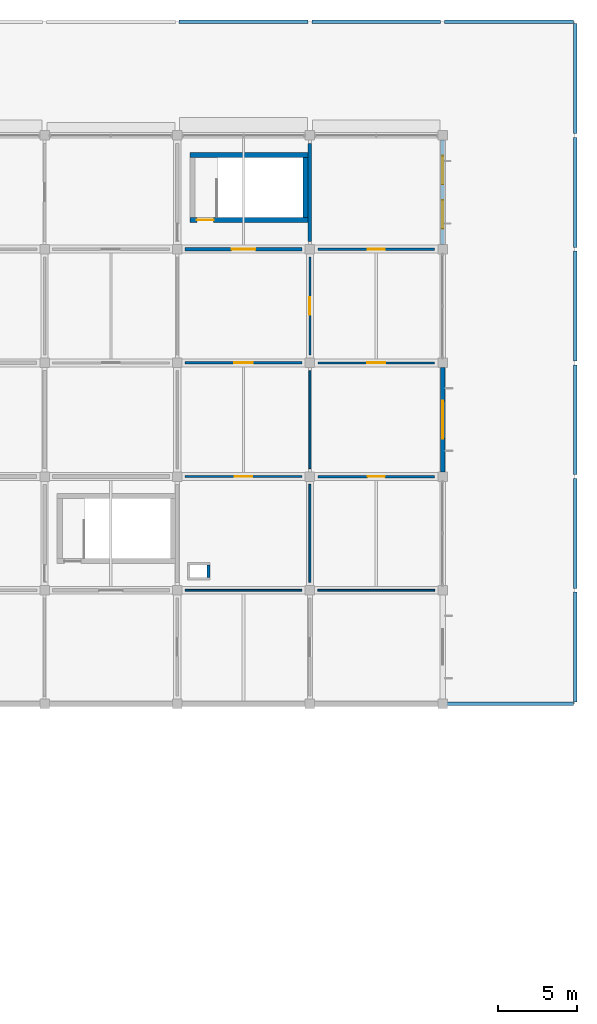
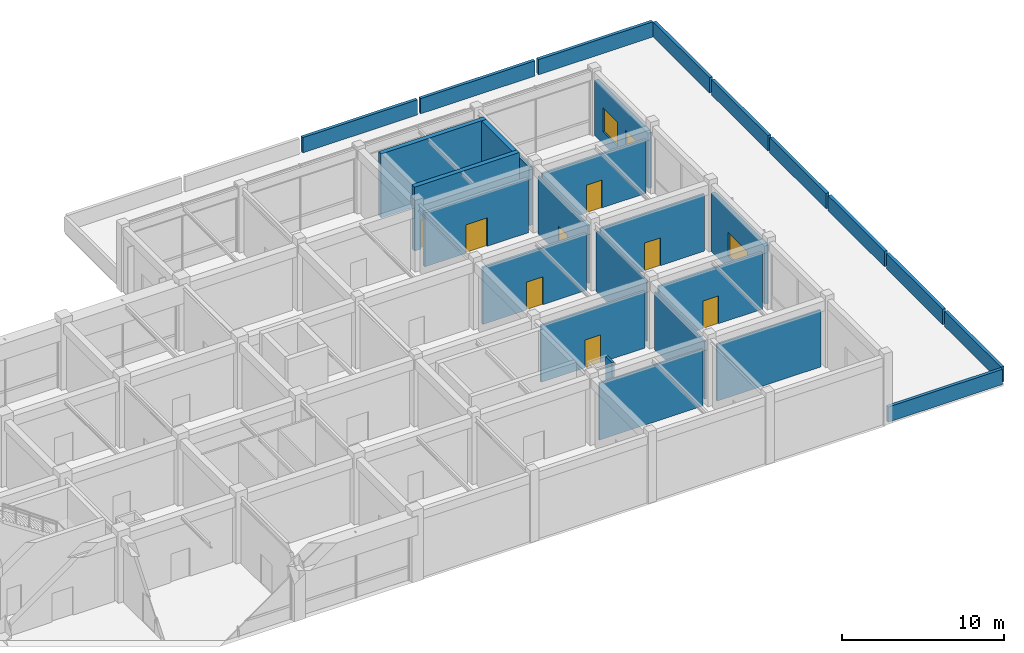
# One storey, part 31 of 38: 28 walls, 8 doors, 3 windows, 11 openings.
"""IFC4 building model written with IfcOpenShell, lengths in metres."""

from ifc_helpers import new_model, si_unit, derived_unit, direction, frame, frame_2d, origin, place, context, subcontext, project, spatial, rectangle, extrude, material, layer, layer_set, type_object, element, fill, save


model = new_model("IFC4")

# Units and contexts
model_context = context("Model", 3, precision=1e-05, world=origin(), true_north=direction((0.0, 1.0)))
body_context = subcontext(model_context, "Body", "Model", "MODEL_VIEW")
ifc_project = project(units=[si_unit("LENGTHUNIT", "METRE"), si_unit("AREAUNIT", "SQUARE_METRE"), si_unit("VOLUMEUNIT", "CUBIC_METRE"), si_unit("PLANEANGLEUNIT", "RADIAN"), si_unit("MASSUNIT", "GRAM", prefix="KILO"), derived_unit("THERMALTRANSMITTANCEUNIT", [(si_unit("MASSUNIT", "GRAM", prefix="KILO"), 1), (si_unit("TIMEUNIT", "SECOND"), -3), (si_unit("THERMODYNAMICTEMPERATUREUNIT", "KELVIN"), -1)])], contexts=[model_context])

# Site, building, storey
site_placement = place(None, origin())
site = spatial("IfcSite", under=ifc_project, at=site_placement, CompositionType="ELEMENT")
building_placement = place(site_placement, origin())
building = spatial("IfcBuilding", under=site, at=building_placement, Name="Veldstrom Oceanarium and Marine Research Institute", CompositionType="ELEMENT")
storey_placement = place(building_placement, frame((0.0, 0.0, 16.800048828125)))
storey = spatial("IfcBuildingStorey", under=building, at=storey_placement, Name="L03", CompositionType="ELEMENT", Elevation=16.800048828125)

# Wall, opening, window
ifc_material_1 = material(Name="Masonry Cavity Wall", Category="masonry")
ifc_layer_1 = layer(ifc_material_1, 0.2900390625)
ifc_layer_set_1 = layer_set([ifc_layer_1], Name="ARC-WAL-EW2")
wall_type_1 = type_object("IfcWallType", Name="ARC-WAL-EW2", PredefinedType="SOLIDWALL", material=ifc_layer_set_1)
wall_1_placement = place(storey_placement, frame((151.199951171875, 57.89990234375, 0.0), z_axis=(0.0, 0.0, 1.0), x_axis=(0.0, 1.0, 0.0)))
wall_1 = element("IfcWall", 1, at=wall_1_placement, inside=storey, type_object=wall_type_1, Name="Exterior Facade Wall EW2 L03-166", PredefinedType="SOLIDWALL", context=body_context, shape_type="SweptSolid", body=[
    extrude(rectangle(XDim=6.60009765625, YDim=0.2900390625, at=frame_2d((3.300048828125, 0.0))), origin(), (0.0, 0.0, 1.0), 4.39501953125),
])
opening_1_placement = place(wall_1_placement, frame((2.10009765625, 0.0, 0.89990234375)))
opening_1 = element("IfcOpeningElement", 2, at=opening_1_placement, cuts=wall_1, Name="Opening W01", PredefinedType="OPENING", context=body_context, shape_type="SweptSolid", body=[
    extrude(rectangle(XDim=2.39990234375, YDim=1.800048828125, at=frame_2d((1.199951171875, 0.89990234375))), frame((0.0, 0.155029296875, 0.0), z_axis=(0.0, -1.0, 0.0), x_axis=(1.0, 0.0, 0.0)), (0.0, 0.0, 1.0), 0.31005859375),
])
ifc_material_2 = material(Name="Double Glazed Low-E IGU", Category="glass")
window_type_1 = type_object("IfcWindowType", Name="ARC-WIN-W01", PartitioningType="SINGLE_PANEL", PredefinedType="WINDOW", material=ifc_material_2)
window_1_placement = place(opening_1_placement, origin())
window_1 = element("IfcWindow", 3, at=window_1_placement, inside=storey, type_object=window_type_1, Name="Facade Window W01 L03-0120", OverallHeight=1.800048828125, OverallWidth=2.39990234375, PartitioningType="SINGLE_PANEL", PredefinedType="WINDOW", context=body_context, shape_type="SweptSolid", body=[
    extrude(rectangle(XDim=2.39990234375, YDim=1.800048828125, at=frame_2d((1.199951171875, 0.89990234375))), frame((0.0, 0.030029296875, 0.0), z_axis=(0.0, -1.0, 0.0), x_axis=(1.0, 0.0, 0.0)), (0.0, 0.0, 1.0), 0.06005859375),
])
fill(opening_1, window_1)

# Wall, openings, windows
ifc_material_3 = material(Name="Masonry Cavity Wall", Category="masonry")
ifc_layer_2 = layer(ifc_material_3, 0.27001953125)
ifc_layer_set_2 = layer_set([ifc_layer_2], Name="ARC-WAL-EW3")
wall_type_2 = type_object("IfcWallType", Name="ARC-WAL-EW3", PredefinedType="SOLIDWALL", material=ifc_layer_set_2)
wall_2_placement = place(storey_placement, frame((151.199951171875, 72.300048828125, 0.0), z_axis=(0.0, 0.0, 1.0), x_axis=(0.0, 1.0, 0.0)))
wall_2 = element("IfcWall", 4, at=wall_2_placement, inside=storey, type_object=wall_type_2, Name="Exterior Facade Wall EW3 L03-167", PredefinedType="SOLIDWALL", context=body_context, shape_type="SweptSolid", body=[
    extrude(rectangle(XDim=6.599853515625, YDim=0.27001953125, at=frame_2d((3.2998046875, 0.0))), origin(), (0.0, 0.0, 1.0), 4.169921875),
])
opening_2_placement = place(wall_2_placement, frame((1.0, 0.0, 0.89990234375)))
opening_2 = element("IfcOpeningElement", 5, at=opening_2_placement, cuts=wall_2, Name="Opening W03", PredefinedType="OPENING", context=body_context, shape_type="SweptSolid", body=[
    extrude(rectangle(XDim=1.800048828125, YDim=1.800048828125, at=frame_2d((0.89990234375, 0.89990234375))), frame((0.0, 0.14501953125, 0.0), z_axis=(0.0, -1.0, 0.0), x_axis=(1.0, 0.0, 0.0)), (0.0, 0.0, 1.0), 0.2900390625),
])
opening_3_placement = place(wall_2_placement, frame((3.800048828125, 0.0, 0.89990234375)))
opening_3 = element("IfcOpeningElement", 6, at=opening_3_placement, cuts=wall_2, Name="Opening W03", PredefinedType="OPENING", context=body_context, shape_type="SweptSolid", body=[
    extrude(rectangle(XDim=1.800048828125, YDim=1.800048828125, at=frame_2d((0.89990234375, 0.89990234375))), frame((0.0, 0.14501953125, 0.0), z_axis=(0.0, -1.0, 0.0), x_axis=(1.0, 0.0, 0.0)), (0.0, 0.0, 1.0), 0.2900390625),
])
ifc_material_4 = material(Name="Double Glazed Low-E IGU", Category="glass")
window_type_2 = type_object("IfcWindowType", Name="ARC-WIN-W03", PartitioningType="SINGLE_PANEL", PredefinedType="WINDOW", material=ifc_material_4)
window_2_placement = place(opening_2_placement, origin())
window_2 = element("IfcWindow", 7, at=window_2_placement, inside=storey, type_object=window_type_2, Name="Facade Window W03 L03-0121", OverallHeight=1.800048828125, OverallWidth=1.800048828125, PartitioningType="SINGLE_PANEL", PredefinedType="WINDOW", context=body_context, shape_type="SweptSolid", body=[
    extrude(rectangle(XDim=1.800048828125, YDim=1.800048828125, at=frame_2d((0.89990234375, 0.89990234375))), frame((0.0, 0.030029296875, 0.0), z_axis=(0.0, -1.0, 0.0), x_axis=(1.0, 0.0, 0.0)), (0.0, 0.0, 1.0), 0.06005859375),
])
fill(opening_2, window_2)
window_3_placement = place(opening_3_placement, origin())
window_3 = element("IfcWindow", 8, at=window_3_placement, inside=storey, type_object=window_type_2, Name="Facade Window W03 L03-0122", OverallHeight=1.800048828125, OverallWidth=1.800048828125, PartitioningType="SINGLE_PANEL", PredefinedType="WINDOW", context=body_context, shape_type="SweptSolid", body=[
    extrude(rectangle(XDim=1.800048828125, YDim=1.800048828125, at=frame_2d((0.89990234375, 0.89990234375))), frame((0.0, 0.030029296875, 0.0), z_axis=(0.0, -1.0, 0.0), x_axis=(1.0, 0.0, 0.0)), (0.0, 0.0, 1.0), 0.06005859375),
])
fill(opening_3, window_3)

# Walls
ifc_material_5 = material(Name="Masonry Cavity Wall", Category="masonry")
ifc_layer_3 = layer(ifc_material_5, 0.219970703125)
ifc_layer_set_3 = layer_set([ifc_layer_3], Name="ARC-WAL-PR1")
wall_type_3 = type_object("IfcWallType", Name="ARC-WAL-PR1", PredefinedType="PARAPET", material=ifc_layer_set_3)
wall_3_placement = place(storey_placement, frame((134.52001953125, 86.39990234375, 0.0), z_axis=(0.0, 0.0, 1.0), x_axis=(1.0, 0.0, 0.0)))
element("IfcWall", 9, at=wall_3_placement, inside=storey, type_object=wall_type_3, Name="Roof Parapet Wall L02-059", PredefinedType="PARAPET", context=body_context, shape_type="SweptSolid", body=[
    extrude(rectangle(XDim=8.159912109375, YDim=0.219970703125, at=frame_2d((4.080078125, 0.0))), origin(), (0.0, 0.0, 1.0), 1.14990234375),
])
wall_4_placement = place(storey_placement, frame((142.919921875, 86.39990234375, 0.0), z_axis=(0.0, 0.0, 1.0), x_axis=(1.0, 0.0, 0.0)))
element("IfcWall", 10, at=wall_4_placement, inside=storey, type_object=wall_type_3, Name="Roof Parapet Wall L02-060", PredefinedType="PARAPET", context=body_context, shape_type="SweptSolid", body=[
    extrude(rectangle(XDim=8.16015625, YDim=0.219970703125, at=frame_2d((4.080078125, 0.0))), origin(), (0.0, 0.0, 1.0), 1.14990234375),
])
wall_5_placement = place(storey_placement, frame((151.320068359375, 43.199951171875, 0.0), z_axis=(0.0, 0.0, 1.0), x_axis=(1.0, 0.0, 0.0)))
element("IfcWall", 11, at=wall_5_placement, inside=storey, type_object=wall_type_3, Name="Roof Parapet Wall L02-061", PredefinedType="PARAPET", context=body_context, shape_type="SweptSolid", body=[
    extrude(rectangle(XDim=8.159912109375, YDim=0.219970703125, at=frame_2d((4.080078125, 0.0))), origin(), (0.0, 0.0, 1.0), 1.14990234375),
])
for number, where, z_axis, x_axis, name in (
    (12, (159.60009765625, 43.320068359375, 0.0), (0.0, 0.0, 1.0), (0.0, 1.0, 0.0), "Roof Parapet Wall L02-062"),
    (13, (159.60009765625, 50.52001953125, 0.0), (0.0, 0.0, 1.0), (0.0, 1.0, 0.0), "Roof Parapet Wall L02-063"),
    (14, (159.60009765625, 57.719970703125, 0.0), (0.0, 0.0, 1.0), (0.0, 1.0, 0.0), "Roof Parapet Wall L02-064"),
    (15, (159.60009765625, 64.919921875, 0.0), (0.0, 0.0, 1.0), (0.0, 1.0, 0.0), "Roof Parapet Wall L02-065"),
    (16, (159.60009765625, 72.1201171875, 0.0), (0.0, 0.0, 1.0), (0.0, 1.0, 0.0), "Roof Parapet Wall L02-066"),
):
    element("IfcWall", number, at=place(storey_placement, frame(where, z_axis=z_axis, x_axis=x_axis)), inside=storey, type_object=wall_type_3, Name=name, PredefinedType="PARAPET", context=body_context, shape_type="SweptSolid", body=[
        extrude(rectangle(XDim=6.9599609375, YDim=0.219970703125, at=frame_2d((3.47998046875, 0.0))), origin(), (0.0, 0.0, 1.0), 1.14990234375),
    ])
wall_6_placement = place(storey_placement, frame((151.320068359375, 86.39990234375, 0.0), z_axis=(0.0, 0.0, 1.0), x_axis=(1.0, 0.0, 0.0)))
element("IfcWall", 17, at=wall_6_placement, inside=storey, type_object=wall_type_3, Name="Roof Parapet Wall L02-067", PredefinedType="PARAPET", context=body_context, shape_type="SweptSolid", body=[
    extrude(rectangle(XDim=8.159912109375, YDim=0.219970703125, at=frame_2d((4.080078125, 0.0))), origin(), (0.0, 0.0, 1.0), 1.14990234375),
])
wall_7_placement = place(storey_placement, frame((159.60009765625, 79.320068359375, 0.0), z_axis=(0.0, 0.0, 1.0), x_axis=(0.0, 1.0, 0.0)))
element("IfcWall", 18, at=wall_7_placement, inside=storey, type_object=wall_type_3, Name="Roof Parapet Wall L02-068", PredefinedType="PARAPET", context=body_context, shape_type="SweptSolid", body=[
    extrude(rectangle(XDim=6.9599609375, YDim=0.219970703125, at=frame_2d((3.47998046875, 0.0))), origin(), (0.0, 0.0, 1.0), 1.14990234375),
])

# Wall, opening, door
ifc_material_6 = material(Name="Masonry Fire Compartment Wall", Category="masonry")
ifc_layer_4 = layer(ifc_material_6, 0.22998046875)
ifc_layer_set_4 = layer_set([ifc_layer_4], Name="ARC-WAL-PT1")
wall_type_4 = type_object("IfcWallType", Name="ARC-WAL-PT1", PredefinedType="PARTITIONING", material=ifc_layer_set_4)
wall_8_placement = place(storey_placement, frame((134.89990234375, 72.0, 0.0), z_axis=(0.0, 0.0, 1.0), x_axis=(1.0, 0.0, 0.0)))
wall_8 = element("IfcWall", 19, at=wall_8_placement, inside=storey, type_object=wall_type_4, Name="Interior Partition PT1 L03-1391", PredefinedType="PARTITIONING", context=body_context, shape_type="SweptSolid", body=[
    extrude(rectangle(XDim=7.400146484375, YDim=0.22998046875, at=frame_2d((3.7001953125, 0.0))), origin(), (0.0, 0.0, 1.0), 4.070068359375),
])
opening_4_placement = place(wall_8_placement, frame((2.949951171875, 0.0, 0.0)))
opening_4 = element("IfcOpeningElement", 20, at=opening_4_placement, cuts=wall_8, Name="Opening D-L03-819", PredefinedType="OPENING", context=body_context, shape_type="SweptSolid", body=[
    extrude(rectangle(XDim=1.5, YDim=2.14990234375, at=frame_2d((0.75, 1.074951171875))), frame((0.0, 0.125, 0.0), z_axis=(0.0, -1.0, 0.0), x_axis=(1.0, 0.0, 0.0)), (0.0, 0.0, 1.0), 0.25),
])
ifc_material_7 = material(Name="Painted Steel Lobby Fire Door", Category="steel")
door_type_1 = type_object("IfcDoorType", Name="ARC-DOR-SD2", OperationType="DOUBLE_DOOR_SINGLE_SWING", PredefinedType="DOOR", material=ifc_material_7)
door_1_placement = place(opening_4_placement, frame((1.5, 0.0, 0.0), z_axis=(0.0, 0.0, 1.0), x_axis=(-1.0, 0.0, 0.0)))
door_1 = element("IfcDoor", 21, at=door_1_placement, inside=storey, type_object=door_type_1, Name="Interior Door D-L03-819", OperationType="DOUBLE_DOOR_SINGLE_SWING", OverallHeight=2.14990234375, OverallWidth=1.5, PredefinedType="DOOR", context=body_context, shape_type="SweptSolid", body=[
    extrude(rectangle(XDim=1.5, YDim=2.14990234375, at=frame_2d((0.75, 1.074951171875))), frame((0.0, 0.02490234375, 0.0), z_axis=(0.0, -1.0, 0.0), x_axis=(1.0, 0.0, 0.0)), (0.0, 0.0, 1.0), 0.050048828125),
])
fill(opening_4, door_1)

# Wall
wall_9_placement = place(storey_placement, frame((142.800048828125, 72.5, 0.0), z_axis=(0.0, 0.0, 1.0), x_axis=(0.0, 1.0, 0.0)))
element("IfcWall", 22, at=wall_9_placement, inside=storey, type_object=wall_type_4, Name="Interior Partition PT1 L03-1392", PredefinedType="PARTITIONING", context=body_context, shape_type="SweptSolid", body=[
    extrude(rectangle(XDim=6.199951171875, YDim=0.22998046875, at=frame_2d((3.10009765625, 0.0))), origin(), (0.0, 0.0, 1.0), 4.419921875),
])

# Wall, opening, door
ifc_material_8 = material(Name="Drywall Corridor Partition", Category="gypsum")
ifc_layer_5 = layer(ifc_material_8, 0.155029296875)
ifc_layer_set_5 = layer_set([ifc_layer_5], Name="ARC-WAL-PT4")
wall_type_5 = type_object("IfcWallType", Name="ARC-WAL-PT4", PredefinedType="PARTITIONING", material=ifc_layer_set_5)
wall_10_placement = place(storey_placement, frame((134.89990234375, 64.800048828125, 0.0), z_axis=(0.0, 0.0, 1.0), x_axis=(1.0, 0.0, 0.0)))
wall_10 = element("IfcWall", 23, at=wall_10_placement, inside=storey, type_object=wall_type_5, Name="Interior Partition PT4 L03-1389", PredefinedType="PARTITIONING", context=body_context, shape_type="SweptSolid", body=[
    extrude(rectangle(XDim=7.400146484375, YDim=0.155029296875, at=frame_2d((3.7001953125, 0.0))), origin(), (0.0, 0.0, 1.0), 4.294921875),
])
opening_5_placement = place(wall_10_placement, frame((3.125, 0.0, 0.0)))
opening_5 = element("IfcOpeningElement", 24, at=opening_5_placement, cuts=wall_10, Name="Opening D-L03-817", PredefinedType="OPENING", context=body_context, shape_type="SweptSolid", body=[
    extrude(rectangle(XDim=1.14990234375, YDim=2.10009765625, at=frame_2d((0.574951171875, 1.050048828125))), frame((0.0, 0.08740234375, 0.0), z_axis=(0.0, -1.0, 0.0), x_axis=(1.0, 0.0, 0.0)), (0.0, 0.0, 1.0), 0.175048828125),
])
ifc_material_9 = material(Name="Fellows Studio Door", Category="timber")
door_type_2 = type_object("IfcDoorType", Name="ARC-DOR-ID17", OperationType="SINGLE_SWING_LEFT", PredefinedType="DOOR", material=ifc_material_9)
door_2_placement = place(opening_5_placement, frame((1.14990234375, 0.0, 0.0), z_axis=(0.0, 0.0, 1.0), x_axis=(-1.0, 0.0, 0.0)))
door_2 = element("IfcDoor", 25, at=door_2_placement, inside=storey, type_object=door_type_2, Name="Interior Door D-L03-817", OperationType="SINGLE_SWING_LEFT", OverallHeight=2.10009765625, OverallWidth=1.14990234375, PredefinedType="DOOR", context=body_context, shape_type="SweptSolid", body=[
    extrude(rectangle(XDim=1.14990234375, YDim=2.10009765625, at=frame_2d((0.574951171875, 1.050048828125))), frame((0.0, 0.02490234375, 0.0), z_axis=(0.0, -1.0, 0.0), x_axis=(1.0, 0.0, 0.0)), (0.0, 0.0, 1.0), 0.050048828125),
])
fill(opening_5, door_2)

wall_11_placement = place(storey_placement, frame((143.300048828125, 57.60009765625, 0.0), z_axis=(0.0, 0.0, 1.0), x_axis=(1.0, 0.0, 0.0)))
wall_11 = element("IfcWall", 26, at=wall_11_placement, inside=storey, type_object=wall_type_5, Name="Interior Partition PT4 L03-1394", PredefinedType="PARTITIONING", context=body_context, shape_type="SweptSolid", body=[
    extrude(rectangle(XDim=7.39990234375, YDim=0.155029296875, at=frame_2d((3.699951171875, 0.0))), origin(), (0.0, 0.0, 1.0), 4.294921875),
])
opening_6_placement = place(wall_11_placement, frame((3.14990234375, 0.0, 0.0)))
opening_6 = element("IfcOpeningElement", 27, at=opening_6_placement, cuts=wall_11, Name="Opening D-L03-820", PredefinedType="OPENING", context=body_context, shape_type="SweptSolid", body=[
    extrude(rectangle(XDim=1.10009765625, YDim=2.10009765625, at=frame_2d((0.550048828125, 1.050048828125))), frame((0.0, 0.08740234375, 0.0), z_axis=(0.0, -1.0, 0.0), x_axis=(1.0, 0.0, 0.0)), (0.0, 0.0, 1.0), 0.175048828125),
])
ifc_material_10 = material(Name="Research Office Door", Category="timber")
door_type_3 = type_object("IfcDoorType", Name="ARC-DOR-ID07", OperationType="SINGLE_SWING_LEFT", PredefinedType="DOOR", material=ifc_material_10)
door_3_placement = place(opening_6_placement, frame((1.10009765625, 0.0, 0.0), z_axis=(0.0, 0.0, 1.0), x_axis=(-1.0, 0.0, 0.0)))
door_3 = element("IfcDoor", 28, at=door_3_placement, inside=storey, type_object=door_type_3, Name="Interior Door D-L03-820", OperationType="SINGLE_SWING_LEFT", OverallHeight=2.10009765625, OverallWidth=1.10009765625, PredefinedType="DOOR", context=body_context, shape_type="SweptSolid", body=[
    extrude(rectangle(XDim=1.10009765625, YDim=2.10009765625, at=frame_2d((0.550048828125, 1.050048828125))), frame((0.0, 0.02490234375, 0.0), z_axis=(0.0, -1.0, 0.0), x_axis=(1.0, 0.0, 0.0)), (0.0, 0.0, 1.0), 0.050048828125),
])
fill(opening_6, door_3)

wall_12_placement = place(storey_placement, frame((143.300048828125, 72.0, 0.0), z_axis=(0.0, 0.0, 1.0), x_axis=(1.0, 0.0, 0.0)))
wall_12 = element("IfcWall", 29, at=wall_12_placement, inside=storey, type_object=wall_type_5, Name="Interior Partition PT4 L03-1396", PredefinedType="PARTITIONING", context=body_context, shape_type="SweptSolid", body=[
    extrude(rectangle(XDim=7.39990234375, YDim=0.155029296875, at=frame_2d((3.699951171875, 0.0))), origin(), (0.0, 0.0, 1.0), 4.070068359375),
])
opening_7_placement = place(wall_12_placement, frame((3.14990234375, 0.0, 0.0)))
opening_7 = element("IfcOpeningElement", 30, at=opening_7_placement, cuts=wall_12, Name="Opening D-L03-822", PredefinedType="OPENING", context=body_context, shape_type="SweptSolid", body=[
    extrude(rectangle(XDim=1.10009765625, YDim=2.10009765625, at=frame_2d((0.550048828125, 1.050048828125))), frame((0.0, 0.08740234375, 0.0), z_axis=(0.0, -1.0, 0.0), x_axis=(1.0, 0.0, 0.0)), (0.0, 0.0, 1.0), 0.175048828125),
])
door_4_placement = place(opening_7_placement, frame((1.10009765625, 0.0, 0.0), z_axis=(0.0, 0.0, 1.0), x_axis=(-1.0, 0.0, 0.0)))
door_4 = element("IfcDoor", 31, at=door_4_placement, inside=storey, type_object=door_type_3, Name="Interior Door D-L03-822", OperationType="SINGLE_SWING_LEFT", OverallHeight=2.10009765625, OverallWidth=1.10009765625, PredefinedType="DOOR", context=body_context, shape_type="SweptSolid", body=[
    extrude(rectangle(XDim=1.10009765625, YDim=2.10009765625, at=frame_2d((0.550048828125, 1.050048828125))), frame((0.0, 0.02490234375, 0.0), z_axis=(0.0, -1.0, 0.0), x_axis=(1.0, 0.0, 0.0)), (0.0, 0.0, 1.0), 0.050048828125),
])
fill(opening_7, door_4)

ifc_material_11 = material(Name="Moisture-Resistant Wet-Area Partition", Category="masonry")
ifc_layer_6 = layer(ifc_material_11, 0.139892578125)
ifc_layer_set_6 = layer_set([ifc_layer_6], Name="ARC-WAL-PT5")
wall_type_6 = type_object("IfcWallType", Name="ARC-WAL-PT5", PredefinedType="PARTITIONING", material=ifc_layer_set_6)
wall_13_placement = place(storey_placement, frame((134.89990234375, 57.60009765625, 0.0), z_axis=(0.0, 0.0, 1.0), x_axis=(1.0, 0.0, 0.0)))
wall_13 = element("IfcWall", 32, at=wall_13_placement, inside=storey, type_object=wall_type_6, Name="Interior Partition PT5 L03-1387", PredefinedType="PARTITIONING", context=body_context, shape_type="SweptSolid", body=[
    extrude(rectangle(XDim=7.400146484375, YDim=0.139892578125, at=frame_2d((3.7001953125, 0.0))), origin(), (0.0, 0.0, 1.0), 4.294921875),
])
opening_8_placement = place(wall_13_placement, frame((3.14990234375, 0.0, 0.0)))
opening_8 = element("IfcOpeningElement", 33, at=opening_8_placement, cuts=wall_13, Name="Opening D-L03-816", PredefinedType="OPENING", context=body_context, shape_type="SweptSolid", body=[
    extrude(rectangle(XDim=1.10009765625, YDim=2.10009765625, at=frame_2d((0.550048828125, 1.050048828125))), frame((0.0, 0.079833984375, 0.0), z_axis=(0.0, -1.0, 0.0), x_axis=(1.0, 0.0, 0.0)), (0.0, 0.0, 1.0), 0.159912109375),
])
door_5_placement = place(opening_8_placement, origin())
door_5 = element("IfcDoor", 34, at=door_5_placement, inside=storey, type_object=door_type_3, Name="Interior Door D-L03-816", OperationType="SINGLE_SWING_LEFT", OverallHeight=2.10009765625, OverallWidth=1.10009765625, PredefinedType="DOOR", context=body_context, shape_type="SweptSolid", body=[
    extrude(rectangle(XDim=1.10009765625, YDim=2.10009765625, at=frame_2d((0.550048828125, 1.050048828125))), frame((0.0, 0.02490234375, 0.0), z_axis=(0.0, -1.0, 0.0), x_axis=(1.0, 0.0, 0.0)), (0.0, 0.0, 1.0), 0.050048828125),
])
fill(opening_8, door_5)

wall_14_placement = place(storey_placement, frame((142.800048828125, 65.300048828125, 0.0), z_axis=(0.0, 0.0, 1.0), x_axis=(0.0, 1.0, 0.0)))
wall_14 = element("IfcWall", 35, at=wall_14_placement, inside=storey, type_object=wall_type_6, Name="Interior Partition PT5 L03-1390", PredefinedType="PARTITIONING", context=body_context, shape_type="SweptSolid", body=[
    extrude(rectangle(XDim=6.199951171875, YDim=0.139892578125, at=frame_2d((3.10009765625, 0.0))), origin(), (0.0, 0.0, 1.0), 4.344970703125),
])
opening_9_placement = place(wall_14_placement, frame((2.550048828125, 0.0, 0.0)))
opening_9 = element("IfcOpeningElement", 36, at=opening_9_placement, cuts=wall_14, Name="Opening D-L03-818", PredefinedType="OPENING", context=body_context, shape_type="SweptSolid", body=[
    extrude(rectangle(XDim=1.10009765625, YDim=2.10009765625, at=frame_2d((0.550048828125, 1.050048828125))), frame((0.0, 0.079833984375, 0.0), z_axis=(0.0, -1.0, 0.0), x_axis=(1.0, 0.0, 0.0)), (0.0, 0.0, 1.0), 0.159912109375),
])
door_6_placement = place(opening_9_placement, frame((1.10009765625, 0.0, 0.0), z_axis=(0.0, 0.0, 1.0), x_axis=(-1.0, 0.0, 0.0)))
door_6 = element("IfcDoor", 37, at=door_6_placement, inside=storey, type_object=door_type_3, Name="Interior Door D-L03-818", OperationType="SINGLE_SWING_RIGHT", OverallHeight=2.10009765625, OverallWidth=1.10009765625, PredefinedType="DOOR", context=body_context, shape_type="SweptSolid", body=[
    extrude(rectangle(XDim=1.10009765625, YDim=2.10009765625, at=frame_2d((0.550048828125, 1.050048828125))), frame((0.0, 0.02490234375, 0.0), z_axis=(0.0, -1.0, 0.0), x_axis=(1.0, 0.0, 0.0)), (0.0, 0.0, 1.0), 0.050048828125),
])
fill(opening_9, door_6)

wall_15_placement = place(storey_placement, frame((143.300048828125, 64.800048828125, 0.0), z_axis=(0.0, 0.0, 1.0), x_axis=(1.0, 0.0, 0.0)))
wall_15 = element("IfcWall", 38, at=wall_15_placement, inside=storey, type_object=wall_type_6, Name="Interior Partition PT5 L03-1395", PredefinedType="PARTITIONING", context=body_context, shape_type="SweptSolid", body=[
    extrude(rectangle(XDim=7.39990234375, YDim=0.139892578125, at=frame_2d((3.699951171875, 0.0))), origin(), (0.0, 0.0, 1.0), 4.294921875),
])
opening_10_placement = place(wall_15_placement, frame((3.125, 0.0, 0.0)))
opening_10 = element("IfcOpeningElement", 39, at=opening_10_placement, cuts=wall_15, Name="Opening D-L03-821", PredefinedType="OPENING", context=body_context, shape_type="SweptSolid", body=[
    extrude(rectangle(XDim=1.14990234375, YDim=2.10009765625, at=frame_2d((0.574951171875, 1.050048828125))), frame((0.0, 0.079833984375, 0.0), z_axis=(0.0, -1.0, 0.0), x_axis=(1.0, 0.0, 0.0)), (0.0, 0.0, 1.0), 0.159912109375),
])
door_7_placement = place(opening_10_placement, origin())
door_7 = element("IfcDoor", 40, at=door_7_placement, inside=storey, type_object=door_type_2, Name="Interior Door D-L03-821", OperationType="SINGLE_SWING_LEFT", OverallHeight=2.10009765625, OverallWidth=1.14990234375, PredefinedType="DOOR", context=body_context, shape_type="SweptSolid", body=[
    extrude(rectangle(XDim=1.14990234375, YDim=2.10009765625, at=frame_2d((0.574951171875, 1.050048828125))), frame((0.0, 0.02490234375, 0.0), z_axis=(0.0, -1.0, 0.0), x_axis=(1.0, 0.0, 0.0)), (0.0, 0.0, 1.0), 0.050048828125),
])
fill(opening_10, door_7)

# Walls
ifc_material_12 = material(Name="Lightweight Studio Partition", Category="gypsum")
ifc_layer_7 = layer(ifc_material_12, 0.1201171875)
ifc_layer_set_7 = layer_set([ifc_layer_7], Name="ARC-WAL-PT6")
wall_type_7 = type_object("IfcWallType", Name="ARC-WAL-PT6", PredefinedType="PARTITIONING", material=ifc_layer_set_7)
wall_16_placement = place(storey_placement, frame((134.89990234375, 50.39990234375, 0.0), z_axis=(0.0, 0.0, 1.0), x_axis=(1.0, 0.0, 0.0)))
element("IfcWall", 41, at=wall_16_placement, inside=storey, type_object=wall_type_7, Name="Interior Partition PT6 L03-1385", PredefinedType="PARTITIONING", context=body_context, shape_type="SweptSolid", body=[
    extrude(rectangle(XDim=7.400146484375, YDim=0.1201171875, at=frame_2d((3.7001953125, 0.0))), origin(), (0.0, 0.0, 1.0), 4.294921875),
])
wall_17_placement = place(storey_placement, frame((142.800048828125, 50.89990234375, 0.0), z_axis=(0.0, 0.0, 1.0), x_axis=(0.0, 1.0, 0.0)))
element("IfcWall", 42, at=wall_17_placement, inside=storey, type_object=wall_type_7, Name="Interior Partition PT6 L03-1386", PredefinedType="PARTITIONING", context=body_context, shape_type="SweptSolid", body=[
    extrude(rectangle(XDim=6.2001953125, YDim=0.1201171875, at=frame_2d((3.10009765625, 0.0))), origin(), (0.0, 0.0, 1.0), 4.344970703125),
])
wall_18_placement = place(storey_placement, frame((142.800048828125, 58.10009765625, 0.0), z_axis=(0.0, 0.0, 1.0), x_axis=(0.0, 1.0, 0.0)))
element("IfcWall", 43, at=wall_18_placement, inside=storey, type_object=wall_type_7, Name="Interior Partition PT6 L03-1388", PredefinedType="PARTITIONING", context=body_context, shape_type="SweptSolid", body=[
    extrude(rectangle(XDim=6.199951171875, YDim=0.1201171875, at=frame_2d((3.10009765625, 0.0))), origin(), (0.0, 0.0, 1.0), 4.544921875),
])
wall_19_placement = place(storey_placement, frame((143.300048828125, 50.39990234375, 0.0), z_axis=(0.0, 0.0, 1.0), x_axis=(1.0, 0.0, 0.0)))
element("IfcWall", 44, at=wall_19_placement, inside=storey, type_object=wall_type_7, Name="Interior Partition PT6 L03-1393", PredefinedType="PARTITIONING", context=body_context, shape_type="SweptSolid", body=[
    extrude(rectangle(XDim=7.39990234375, YDim=0.1201171875, at=frame_2d((3.699951171875, 0.0))), origin(), (0.0, 0.0, 1.0), 4.294921875),
])
ifc_material_13 = material(Name="Service Riser Fire Shaft Wall", Category="masonry")
ifc_layer_8 = layer(ifc_material_13, 0.1650390625)
ifc_layer_set_8 = layer_set([ifc_layer_8], Name="ARC-WAL-PT9")
wall_type_8 = type_object("IfcWallType", Name="ARC-WAL-PT9", PredefinedType="PARTITIONING", material=ifc_layer_set_8)
wall_20_placement = place(storey_placement, frame((136.382568359375, 51.199951171875, 0.0), z_axis=(0.0, 0.0, 1.0), x_axis=(0.0, 1.0, 0.0)))
element("IfcWall", 45, at=wall_20_placement, inside=storey, type_object=wall_type_8, Name="Service Riser Fire Shaft Wall L03-ES-E", PredefinedType="PARTITIONING", context=body_context, shape_type="SweptSolid", body=[
    extrude(rectangle(XDim=0.800048828125, YDim=0.1650390625, at=frame_2d((0.39990234375, 0.0))), origin(), (0.0, 0.0, 1.0), 4.824951171875),
])

# Wall, opening, door
ifc_material_14 = material(Name="Concrete C40/50", Category="concrete")
ifc_layer_9 = layer(ifc_material_14, 0.320068359375)
ifc_layer_set_9 = layer_set([ifc_layer_9], Name="STR-WAL-WC3")
wall_type_9 = type_object("IfcWallType", Name="STR-WAL-WC3", PredefinedType="SHEAR", material=ifc_layer_set_9)
wall_21_placement = place(storey_placement, frame((135.199951171875, 73.840087890625, 0.0), z_axis=(0.0, 0.0, 1.0), x_axis=(1.0, 0.0, 0.0)))
wall_21 = element("IfcWall", 46, at=wall_21_placement, inside=storey, type_object=wall_type_9, Name="Stair Core Shear Wall SC6-L03-S", PredefinedType="SHEAR", context=body_context, shape_type="SweptSolid", body=[
    extrude(rectangle(XDim=7.47998046875, YDim=0.320068359375, at=frame_2d((3.739990234375, 0.0))), origin(), (0.0, 0.0, 1.0), 4.824951171875),
])
opening_11_placement = place(wall_21_placement, frame((0.449951171875, 0.0, 0.0)))
opening_11 = element("IfcOpeningElement", 47, at=opening_11_placement, cuts=wall_21, Name="Opening D-ST6-L03", PredefinedType="OPENING", context=body_context, shape_type="SweptSolid", body=[
    extrude(rectangle(XDim=1.050048828125, YDim=2.14990234375, at=frame_2d((0.52490234375, 1.074951171875))), frame((0.0, 0.169921875, 0.0), z_axis=(0.0, -1.0, 0.0), x_axis=(1.0, 0.0, 0.0)), (0.0, 0.0, 1.0), 0.340087890625),
])
ifc_material_15 = material(Name="Painted Steel Fire Door", Category="steel")
door_type_4 = type_object("IfcDoorType", Name="ARC-DOR-SD1", OperationType="SINGLE_SWING_LEFT", PredefinedType="DOOR", material=ifc_material_15)
door_8_placement = place(opening_11_placement, origin())
door_8 = element("IfcDoor", 48, at=door_8_placement, inside=storey, type_object=door_type_4, Name="Escape Stair Fire Door D-ST6-L03", OperationType="SINGLE_SWING_LEFT", OverallHeight=2.14990234375, OverallWidth=1.050048828125, PredefinedType="DOOR", context=body_context, shape_type="SweptSolid", body=[
    extrude(rectangle(XDim=1.050048828125, YDim=2.14990234375, at=frame_2d((0.52490234375, 1.074951171875))), frame((0.0, 0.02490234375, 0.0), z_axis=(0.0, -1.0, 0.0), x_axis=(1.0, 0.0, 0.0)), (0.0, 0.0, 1.0), 0.050048828125),
])
fill(opening_11, door_8)

# Walls
wall_22_placement = place(storey_placement, frame((135.199951171875, 77.9599609375, 0.0), z_axis=(0.0, 0.0, 1.0), x_axis=(1.0, 0.0, 0.0)))
element("IfcWall", 49, at=wall_22_placement, inside=storey, type_object=wall_type_9, Name="Stair Core Shear Wall SC6-L03-N", PredefinedType="SHEAR", context=body_context, shape_type="SweptSolid", body=[
    extrude(rectangle(XDim=7.47998046875, YDim=0.320068359375, at=frame_2d((3.739990234375, 0.0))), origin(), (0.0, 0.0, 1.0), 4.824951171875),
])
wall_23_placement = place(storey_placement, frame((142.52001953125, 74.0, 0.0), z_axis=(0.0, 0.0, 1.0), x_axis=(0.0, 1.0, 0.0)))
element("IfcWall", 50, at=wall_23_placement, inside=storey, type_object=wall_type_9, Name="Stair Core Shear Wall SC6-L03-E", PredefinedType="SHEAR", context=body_context, shape_type="SweptSolid", body=[
    extrude(rectangle(XDim=3.800048828125, YDim=0.320068359375, at=frame_2d((1.89990234375, 0.0))), origin(), (0.0, 0.0, 1.0), 4.824951171875),
])

save(model, "model.ifc")
